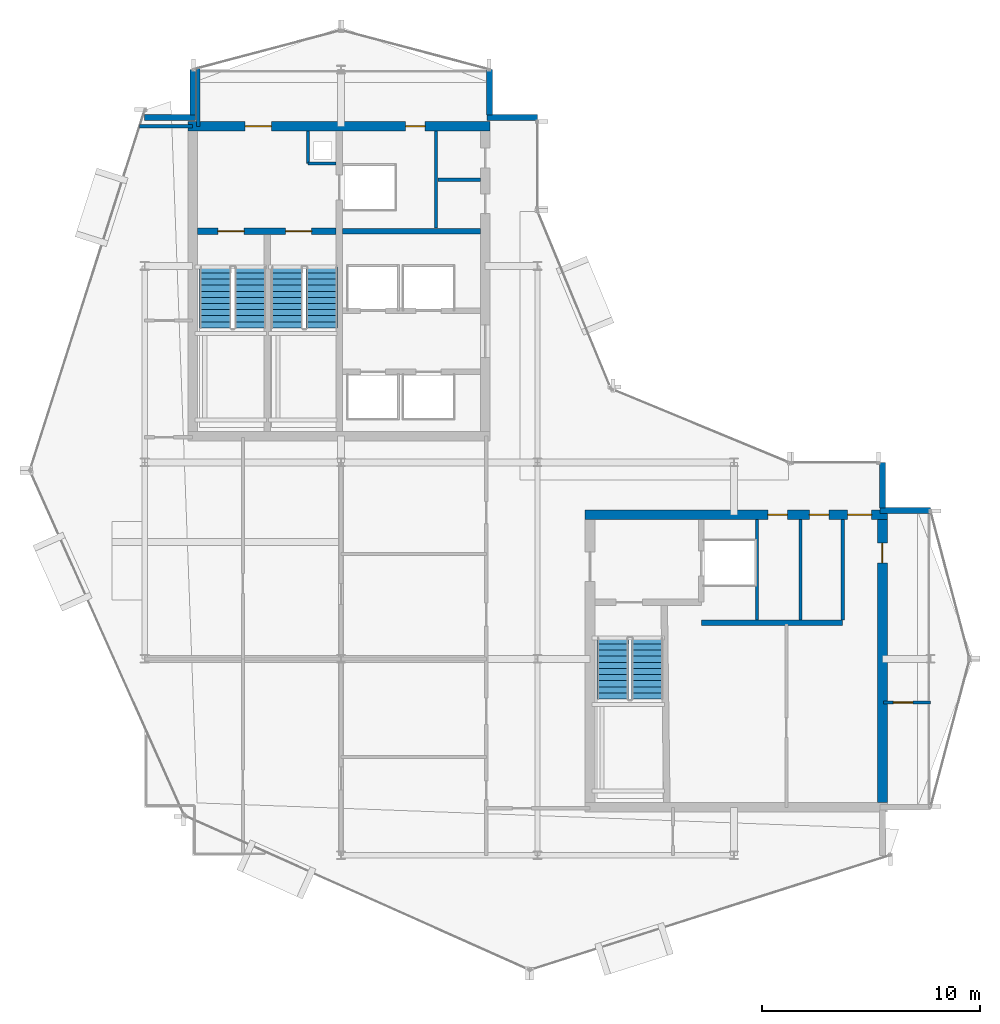
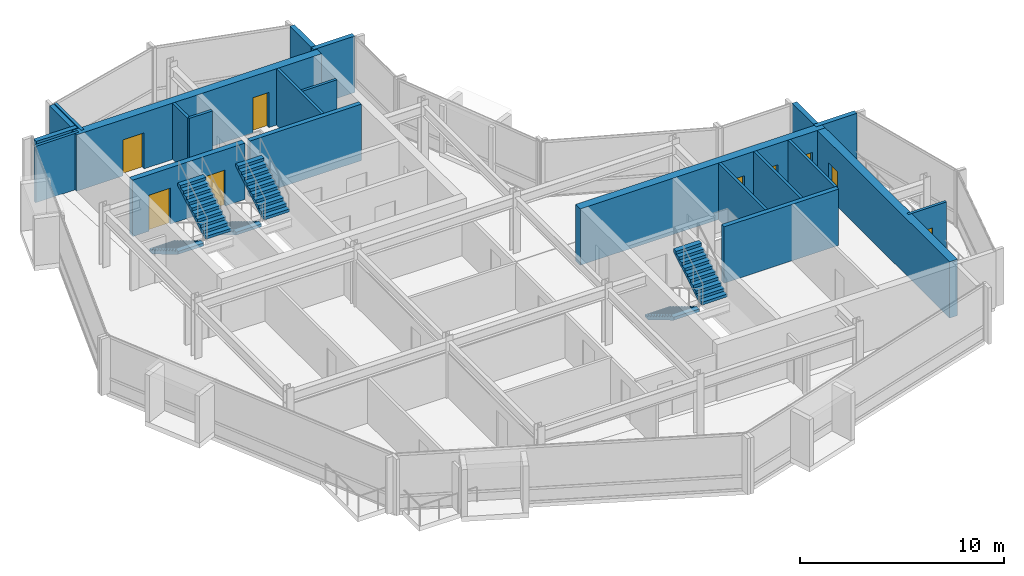
# One storey, part 15 of 19: 22 walls, 9 doors, 6 stair flights, 9 openings, 3 elements without a shape of their own.
"""IFC4 building model written with IfcOpenShell, lengths in metres."""

from ifc_helpers import new_model, si_unit, direction, frame, frame_2d, origin, place, context, subcontext, project, spatial, polyline, rectangle, outline, extrude, material, layer, layer_set, type_object, element, fill, aggregate, save


model = new_model("IFC4")

# Units and contexts
model_context = context("Model", 3, precision=1e-05, world=origin(), true_north=direction((0.0, 1.0)))
body_context = subcontext(model_context, "Body", "Model", "MODEL_VIEW")
ifc_project = project(units=[si_unit("LENGTHUNIT", "METRE"), si_unit("AREAUNIT", "SQUARE_METRE"), si_unit("VOLUMEUNIT", "CUBIC_METRE"), si_unit("PLANEANGLEUNIT", "RADIAN"), si_unit("MASSUNIT", "GRAM", prefix="KILO")], contexts=[model_context])

# Site, building, storey
site_placement = place(None, origin())
site = spatial("IfcSite", under=ifc_project, at=site_placement, CompositionType="ELEMENT")
building_placement = place(site_placement, origin())
building = spatial("IfcBuilding", under=site, at=building_placement, Name="Solvaryn Broadcast Tower", CompositionType="ELEMENT")
storey_placement = place(building_placement, frame((0.0, 0.0, 281.5)))
storey = spatial("IfcBuildingStorey", under=building, at=storey_placement, Name="L71", CompositionType="ELEMENT", Elevation=281.5)

# Wall, openings, doors
ifc_material_1 = material(Name="Concrete f'c 70 MPa", Category="concrete")
ifc_layer_1 = layer(ifc_material_1, 0.449951171875)
ifc_layer_set_1 = layer_set([ifc_layer_1], Name="CW-SHEAR-450")
wall_type_1 = type_object("IfcWallType", Name="CW-SHEAR-450", PredefinedType="SHEAR", material=ifc_layer_set_1)
wall_1_placement = place(storey_placement, frame((24.824951171875, 42.39990234375, 0.0), z_axis=(0.0, 0.0, 1.0), x_axis=(-1.0, 0.0, 0.0)))
wall_1 = element("IfcWall", 1, at=wall_1_placement, inside=storey, type_object=wall_type_1, Name="L71 West Core North Shear Wall", PredefinedType="SHEAR", context=body_context, shape_type="SweptSolid", body=[
    extrude(rectangle(XDim=13.849853515625, YDim=0.449951171875, at=frame_2d((6.9248046875, 0.0))), origin(), (0.0, 0.0, 1.0), 3.3701171875),
])
opening_1_placement = place(wall_1_placement, frame((10.02490234375, 0.0, 0.0)))
opening_1 = element("IfcOpeningElement", 2, at=opening_1_placement, cuts=wall_1, Name="Opening FD90A", PredefinedType="OPENING", context=body_context, shape_type="SweptSolid", body=[
    extrude(rectangle(XDim=1.199951171875, YDim=2.14990234375, at=frame_2d((0.60009765625, 1.074951171875))), frame((0.0, 0.235107421875, 0.0), z_axis=(0.0, -1.0, 0.0), x_axis=(1.0, 0.0, 0.0)), (0.0, 0.0, 1.0), 0.469970703125),
])
opening_2_placement = place(wall_1_placement, frame((2.97509765625, 0.0, 0.0)))
opening_2 = element("IfcOpeningElement", 3, at=opening_2_placement, cuts=wall_1, Name="Opening FD60C", PredefinedType="OPENING", context=body_context, shape_type="SweptSolid", body=[
    extrude(rectangle(XDim=0.89990234375, YDim=2.10009765625, at=frame_2d((0.449951171875, 1.050048828125))), frame((0.0, 0.235107421875, 0.0), z_axis=(0.0, -1.0, 0.0), x_axis=(1.0, 0.0, 0.0)), (0.0, 0.0, 1.0), 0.469970703125),
])
ifc_material_2 = material(Name="Flush Acoustic Steel and Timber Door Assembly", Category="steel")
door_type_1 = type_object("IfcDoorType", Name="FD60-SERV-900X2100", OperationType="NOTDEFINED", PredefinedType="DOOR", material=ifc_material_2)
door_1_placement = place(opening_2_placement, origin())
door_1 = element("IfcDoor", 4, at=door_1_placement, inside=storey, type_object=door_type_1, Name="L71 West Core Fiber Riser Door", OperationType="SINGLE_SWING_RIGHT", OverallHeight=2.10009765625, OverallWidth=0.89990234375, PredefinedType="DOOR", context=body_context, shape_type="SweptSolid", body=[
    extrude(rectangle(XDim=0.89990234375, YDim=2.10009765625, at=frame_2d((0.449951171875, 1.050048828125))), frame((0.0, 0.02490234375, 0.0), z_axis=(0.0, -1.0, 0.0), x_axis=(1.0, 0.0, 0.0)), (0.0, 0.0, 1.0), 0.050048828125),
])
fill(opening_2, door_1)
ifc_material_3 = material(Name="Flush Acoustic Steel and Timber Door Assembly", Category="steel")
door_type_2 = type_object("IfcDoorType", Name="FD90-STAIR-1200X2150", OperationType="NOTDEFINED", PredefinedType="DOOR", material=ifc_material_3)
door_2_placement = place(opening_1_placement, origin())
door_2 = element("IfcDoor", 5, at=door_2_placement, inside=storey, type_object=door_type_2, Name="L71 West FSAE Lobby Corridor Door", OperationType="SINGLE_SWING_LEFT", OverallHeight=2.14990234375, OverallWidth=1.199951171875, PredefinedType="DOOR", context=body_context, shape_type="SweptSolid", body=[
    extrude(rectangle(XDim=1.199951171875, YDim=2.14990234375, at=frame_2d((0.60009765625, 1.074951171875))), frame((0.0, 0.02490234375, 0.0), z_axis=(0.0, -1.0, 0.0), x_axis=(1.0, 0.0, 0.0)), (0.0, 0.0, 1.0), 0.050048828125),
])
fill(opening_1, door_2)

wall_2_placement = place(storey_placement, frame((43.02490234375, 24.60009765625, 0.0), z_axis=(0.0, 0.0, 1.0), x_axis=(-1.0, 0.0, 0.0)))
wall_2 = element("IfcWall", 6, at=wall_2_placement, inside=storey, type_object=wall_type_1, Name="L71 East Core North Shear Wall", PredefinedType="SHEAR", context=body_context, shape_type="SweptSolid", body=[
    extrude(rectangle(XDim=13.849853515625, YDim=0.449951171875, at=frame_2d((6.9248046875, 0.0))), origin(), (0.0, 0.0, 1.0), 3.3701171875),
])
opening_3_placement = place(wall_2_placement, frame((0.72509765625, 0.0, 0.0)))
opening_3 = element("IfcOpeningElement", 7, at=opening_3_placement, cuts=wall_2, Name="Opening FD90C", PredefinedType="OPENING", context=body_context, shape_type="SweptSolid", body=[
    extrude(rectangle(XDim=1.10009765625, YDim=2.14990234375, at=frame_2d((0.550048828125, 1.074951171875))), frame((0.0, 0.235107421875, 0.0), z_axis=(0.0, -1.0, 0.0), x_axis=(1.0, 0.0, 0.0)), (0.0, 0.0, 1.0), 0.469970703125),
])
opening_4_placement = place(wall_2_placement, frame((2.675048828125, 0.0, 0.0)))
opening_4 = element("IfcOpeningElement", 8, at=opening_4_placement, cuts=wall_2, Name="Opening FD60C", PredefinedType="OPENING", context=body_context, shape_type="SweptSolid", body=[
    extrude(rectangle(XDim=0.89990234375, YDim=2.10009765625, at=frame_2d((0.449951171875, 1.050048828125))), frame((0.0, 0.235107421875, 0.0), z_axis=(0.0, -1.0, 0.0), x_axis=(1.0, 0.0, 0.0)), (0.0, 0.0, 1.0), 0.469970703125),
])
opening_5_placement = place(wall_2_placement, frame((4.574951171875, 0.0, 0.0)))
opening_5 = element("IfcOpeningElement", 9, at=opening_5_placement, cuts=wall_2, Name="Opening FD60C", PredefinedType="OPENING", context=body_context, shape_type="SweptSolid", body=[
    extrude(rectangle(XDim=0.89990234375, YDim=2.10009765625, at=frame_2d((0.449951171875, 1.050048828125))), frame((0.0, 0.235107421875, 0.0), z_axis=(0.0, -1.0, 0.0), x_axis=(1.0, 0.0, 0.0)), (0.0, 0.0, 1.0), 0.469970703125),
])
door_3_placement = place(opening_4_placement, origin())
door_3 = element("IfcDoor", 10, at=door_3_placement, inside=storey, type_object=door_type_1, Name="L71 Staff Restroom Door", OperationType="SINGLE_SWING_LEFT", OverallHeight=2.10009765625, OverallWidth=0.89990234375, PredefinedType="DOOR", context=body_context, shape_type="SweptSolid", body=[
    extrude(rectangle(XDim=0.89990234375, YDim=2.10009765625, at=frame_2d((0.449951171875, 1.050048828125))), frame((0.0, 0.02490234375, 0.0), z_axis=(0.0, -1.0, 0.0), x_axis=(1.0, 0.0, 0.0)), (0.0, 0.0, 1.0), 0.050048828125),
])
fill(opening_4, door_3)
door_4_placement = place(opening_5_placement, origin())
door_4 = element("IfcDoor", 11, at=door_4_placement, inside=storey, type_object=door_type_1, Name="L71 Accessible WC Door", OperationType="SINGLE_SWING_RIGHT", OverallHeight=2.10009765625, OverallWidth=0.89990234375, PredefinedType="DOOR", context=body_context, shape_type="SweptSolid", body=[
    extrude(rectangle(XDim=0.89990234375, YDim=2.10009765625, at=frame_2d((0.449951171875, 1.050048828125))), frame((0.0, 0.02490234375, 0.0), z_axis=(0.0, -1.0, 0.0), x_axis=(1.0, 0.0, 0.0)), (0.0, 0.0, 1.0), 0.050048828125),
])
fill(opening_5, door_4)
ifc_material_4 = material(Name="Flush Acoustic Steel and Timber Door Assembly", Category="steel")
door_type_3 = type_object("IfcDoorType", Name="FD90-PLANT-1100X2150", OperationType="NOTDEFINED", PredefinedType="DOOR", material=ifc_material_4)
door_5_placement = place(opening_3_placement, origin())
door_5 = element("IfcDoor", 12, at=door_5_placement, inside=storey, type_object=door_type_3, Name="L71 East Core Lobby Corridor Door", OperationType="SINGLE_SWING_LEFT", OverallHeight=2.14990234375, OverallWidth=1.10009765625, PredefinedType="DOOR", context=body_context, shape_type="SweptSolid", body=[
    extrude(rectangle(XDim=1.10009765625, YDim=2.14990234375, at=frame_2d((0.550048828125, 1.074951171875))), frame((0.0, 0.02490234375, 0.0), z_axis=(0.0, -1.0, 0.0), x_axis=(1.0, 0.0, 0.0)), (0.0, 0.0, 1.0), 0.050048828125),
])
fill(opening_3, door_5)

# Wall, opening, door
wall_3_placement = place(storey_placement, frame((42.800048828125, 11.425048828125, 0.0), z_axis=(0.0, 0.0, 1.0), x_axis=(0.0, 1.0, 0.0)))
wall_3 = element("IfcWall", 13, at=wall_3_placement, inside=storey, type_object=wall_type_1, Name="L71 East Core East Shear Wall", PredefinedType="SHEAR", context=body_context, shape_type="SweptSolid", body=[
    extrude(rectangle(XDim=12.949951171875, YDim=0.449951171875, at=frame_2d((6.47509765625, 0.0))), origin(), (0.0, 0.0, 1.0), 3.3701171875),
])
opening_6_placement = place(wall_3_placement, frame((10.97509765625, 0.0, 0.0)))
opening_6 = element("IfcOpeningElement", 14, at=opening_6_placement, cuts=wall_3, Name="Opening FD60C", PredefinedType="OPENING", context=body_context, shape_type="SweptSolid", body=[
    extrude(rectangle(XDim=0.89990234375, YDim=2.10009765625, at=frame_2d((0.449951171875, 1.050048828125))), frame((0.0, 0.235107421875, 0.0), z_axis=(0.0, -1.0, 0.0), x_axis=(1.0, 0.0, 0.0)), (0.0, 0.0, 1.0), 0.469970703125),
])
door_6_placement = place(opening_6_placement, origin())
door_6 = element("IfcDoor", 15, at=door_6_placement, inside=storey, type_object=door_type_1, Name="L71 Upper East Studio Door", OperationType="SINGLE_SWING_RIGHT", OverallHeight=2.10009765625, OverallWidth=0.89990234375, PredefinedType="DOOR", context=body_context, shape_type="SweptSolid", body=[
    extrude(rectangle(XDim=0.89990234375, YDim=2.10009765625, at=frame_2d((0.449951171875, 1.050048828125))), frame((0.0, 0.02490234375, 0.0), z_axis=(0.0, -1.0, 0.0), x_axis=(1.0, 0.0, 0.0)), (0.0, 0.0, 1.0), 0.050048828125),
])
fill(opening_6, door_6)

# Walls
ifc_material_5 = material(Name="Concrete f'c 50 MPa", Category="concrete")
ifc_layer_2 = layer(ifc_material_5, 0.260009765625)
ifc_layer_set_2 = layer_set([ifc_layer_2], Name="EW-PIER-260")
wall_type_2 = type_object("IfcWallType", Name="EW-PIER-260", PredefinedType="SOLIDWALL", material=ifc_layer_set_2)
wall_4_placement = place(storey_placement, frame((9.0, 42.800048828125, 0.0), z_axis=(0.0, 0.0, 1.0), x_axis=(1.0, 0.0, 0.0)))
element("IfcWall", 16, at=wall_4_placement, inside=storey, type_object=wall_type_2, Name="L71 Notched Corner Pier Wall NNW1", PredefinedType="SOLIDWALL", context=body_context, shape_type="SweptSolid", body=[
    extrude(rectangle(XDim=2.320068359375, YDim=0.260009765625, at=frame_2d((1.16015625, 0.0))), origin(), (0.0, 0.0, 1.0), 3.3701171875),
])
for number, where, z_axis, x_axis, name in (
    (17, (11.199951171875, 42.919921875, 0.0), (0.0, 0.0, 1.0), (0.0, 1.0, 0.0), "L71 Notched Corner Pier Wall NNW2"),
    (18, (24.800048828125, 45.0, 0.0), (0.0, 0.0, 1.0), (0.0, -1.0, 0.0), "L71 Notched Corner Pier Wall NNE1"),
):
    element("IfcWall", number, at=place(storey_placement, frame(where, z_axis=z_axis, x_axis=x_axis)), inside=storey, type_object=wall_type_2, Name=name, PredefinedType="SOLIDWALL", context=body_context, shape_type="SweptSolid", body=[
        extrude(rectangle(XDim=2.080078125, YDim=0.260009765625, at=frame_2d((1.0400390625, 0.0))), origin(), (0.0, 0.0, 1.0), 3.3701171875),
    ])
for number, where, z_axis, x_axis, name in (
    (19, (24.679931640625, 42.800048828125, 0.0), (0.0, 0.0, 1.0), (1.0, 0.0, 0.0), "L71 Notched Corner Pier Wall NNE2"),
    (20, (45.0, 24.800048828125, 0.0), (0.0, 0.0, 1.0), (-1.0, 0.0, 0.0), "L71 Notched Corner Pier Wall NEE1"),
):
    element("IfcWall", number, at=place(storey_placement, frame(where, z_axis=z_axis, x_axis=x_axis)), inside=storey, type_object=wall_type_2, Name=name, PredefinedType="SOLIDWALL", context=body_context, shape_type="SweptSolid", body=[
        extrude(rectangle(XDim=2.320068359375, YDim=0.260009765625, at=frame_2d((1.16015625, 0.0))), origin(), (0.0, 0.0, 1.0), 3.3701171875),
    ])
wall_5_placement = place(storey_placement, frame((42.800048828125, 24.919921875, 0.0), z_axis=(0.0, 0.0, 1.0), x_axis=(0.0, 1.0, 0.0)))
element("IfcWall", 21, at=wall_5_placement, inside=storey, type_object=wall_type_2, Name="L71 Notched Corner Pier Wall NEE2", PredefinedType="SOLIDWALL", context=body_context, shape_type="SweptSolid", body=[
    extrude(rectangle(XDim=2.080078125, YDim=0.260009765625, at=frame_2d((1.0400390625, 0.0))), origin(), (0.0, 0.0, 1.0), 3.3701171875),
])
ifc_material_6 = material(Name="Metal-Stud Service Core Partition")
ifc_layer_3 = layer(ifc_material_6, 0.14990234375)
ifc_layer_set_3 = layer_set([ifc_layer_3], Name="IW-PART-150")
wall_type_3 = type_object("IfcWallType", Name="IW-PART-150", PredefinedType="PARTITIONING", material=ifc_layer_set_3)
wall_6_placement = place(storey_placement, frame((16.47998046875, 40.699951171875, 0.0), z_axis=(0.0, 0.0, 1.0), x_axis=(1.0, 0.0, 0.0)))
element("IfcWall", 22, at=wall_6_placement, inside=storey, type_object=wall_type_3, Name="L71 West Core Riser Shaft South Wall", PredefinedType="PARTITIONING", context=body_context, shape_type="SweptSolid", body=[
    extrude(rectangle(XDim=1.2900390625, YDim=0.14990234375, at=frame_2d((0.64501953125, 0.0))), origin(), (0.0, 0.0, 1.0), 3.3701171875),
])
wall_7_placement = place(storey_placement, frame((16.47998046875, 40.699951171875, 0.0), z_axis=(0.0, 0.0, 1.0), x_axis=(0.0, 1.0, 0.0)))
element("IfcWall", 23, at=wall_7_placement, inside=storey, type_object=wall_type_3, Name="L71 West Core Riser Shaft West Wall", PredefinedType="PARTITIONING", context=body_context, shape_type="SweptSolid", body=[
    extrude(rectangle(XDim=1.47509765625, YDim=0.14990234375, at=frame_2d((0.737548828125, 0.0))), origin(), (0.0, 0.0, 1.0), 3.3701171875),
])
wall_8_placement = place(storey_placement, frame((22.35009765625, 37.72998046875, 0.0), z_axis=(0.0, 0.0, 1.0), x_axis=(0.0, 1.0, 0.0)))
element("IfcWall", 24, at=wall_8_placement, inside=storey, type_object=wall_type_3, Name="L71 Interior Partition IW-L71-CWS-V", PredefinedType="PARTITIONING", context=body_context, shape_type="SweptSolid", body=[
    extrude(rectangle(XDim=4.445068359375, YDim=0.14990234375, at=frame_2d((2.22265625, 0.0))), origin(), (0.0, 0.0, 1.0), 3.3701171875),
])
wall_9_placement = place(storey_placement, frame((22.429931640625, 39.949951171875, 0.0), z_axis=(0.0, 0.0, 1.0), x_axis=(1.0, 0.0, 0.0)))
element("IfcWall", 25, at=wall_9_placement, inside=storey, type_object=wall_type_3, Name="L71 Interior Partition IW-L71-CWS-H", PredefinedType="PARTITIONING", context=body_context, shape_type="SweptSolid", body=[
    extrude(rectangle(XDim=1.945068359375, YDim=0.14990234375, at=frame_2d((0.97265625, 0.0))), origin(), (0.0, 0.0, 1.0), 3.3701171875),
])
for number, where, z_axis, x_axis, name in (
    (26, (37.050048828125, 19.780029296875, 0.0), (0.0, 0.0, 1.0), (0.0, 1.0, 0.0), "L71 Interior Partition IW-L71-CE-FL2E"),
    (27, (39.050048828125, 19.780029296875, 0.0), (0.0, 0.0, 1.0), (0.0, 1.0, 0.0), "L71 Interior Partition IW-L71-CE-V1"),
    (28, (40.97998046875, 19.780029296875, 0.0), (0.0, 0.0, 1.0), (0.0, 1.0, 0.0), "L71 Interior Partition IW-L71-CE-V3"),
):
    element("IfcWall", number, at=place(storey_placement, frame(where, z_axis=z_axis, x_axis=x_axis)), inside=storey, type_object=wall_type_3, Name=name, PredefinedType="PARTITIONING", context=body_context, shape_type="SweptSolid", body=[
        extrude(rectangle(XDim=4.594970703125, YDim=0.14990234375, at=frame_2d((2.29736328125, 0.0))), origin(), (0.0, 0.0, 1.0), 3.3701171875),
    ])

# Wall, opening, door
wall_10_placement = place(storey_placement, frame((42.85009765625, 16.0, 0.0), z_axis=(0.0, 0.0, 1.0), x_axis=(1.0, 0.0, 0.0)))
wall_10 = element("IfcWall", 29, at=wall_10_placement, inside=storey, type_object=wall_type_3, Name="L71 Interior Partition IW-L71-E4M", PredefinedType="PARTITIONING", context=body_context, shape_type="SweptSolid", body=[
    extrude(rectangle(XDim=2.14990234375, YDim=0.14990234375, at=frame_2d((1.074951171875, 0.0))), origin(), (0.0, 0.0, 1.0), 3.3701171875),
])
opening_7_placement = place(wall_10_placement, frame((0.449951171875, 0.0, 0.0)))
opening_7 = element("IfcOpeningElement", 30, at=opening_7_placement, cuts=wall_10, Name="Opening FD60C", PredefinedType="OPENING", context=body_context, shape_type="SweptSolid", body=[
    extrude(rectangle(XDim=0.89990234375, YDim=2.10009765625, at=frame_2d((0.449951171875, 1.050048828125))), frame((0.0, 0.0849609375, 0.0), z_axis=(0.0, -1.0, 0.0), x_axis=(1.0, 0.0, 0.0)), (0.0, 0.0, 1.0), 0.169921875),
])
door_7_placement = place(opening_7_placement, origin())
door_7 = element("IfcDoor", 31, at=door_7_placement, inside=storey, type_object=door_type_1, Name="L71 Door DR-L71-E4M", OperationType="SINGLE_SWING_RIGHT", OverallHeight=2.10009765625, OverallWidth=0.89990234375, PredefinedType="DOOR", context=body_context, shape_type="SweptSolid", body=[
    extrude(rectangle(XDim=0.89990234375, YDim=2.10009765625, at=frame_2d((0.449951171875, 1.050048828125))), frame((0.0, 0.02490234375, 0.0), z_axis=(0.0, -1.0, 0.0), x_axis=(1.0, 0.0, 0.0)), (0.0, 0.0, 1.0), 0.050048828125),
])
fill(opening_7, door_7)

# Walls
ifc_material_7 = material(Name="Metal-Stud Gypsum Office Partition")
ifc_layer_4 = layer(ifc_material_7, 0.159912109375)
ifc_layer_set_4 = layer_set([ifc_layer_4], Name="IW-PART-160")
wall_type_4 = type_object("IfcWallType", Name="IW-PART-160", PredefinedType="PARTITIONING", material=ifc_layer_set_4)
wall_11_placement = place(storey_placement, frame((8.760986328125, 42.39990234375, 0.0), z_axis=(0.0, 0.0, 1.0), x_axis=(1.0, 0.0, 0.0)))
element("IfcWall", 32, at=wall_11_placement, inside=storey, type_object=wall_type_4, Name="L71 Interior Partition IW-L71-WM-N", PredefinedType="PARTITIONING", context=body_context, shape_type="SweptSolid", body=[
    extrude(rectangle(XDim=2.43896484375, YDim=0.159912109375, at=frame_2d((1.219482421875, 0.0))), origin(), (0.0, 0.0, 1.0), 3.3701171875),
])
wall_12_placement = place(storey_placement, frame((11.449951171875, 42.39990234375, 0.0), z_axis=(0.0, 0.0, 1.0), x_axis=(0.0, 1.0, 0.0)))
element("IfcWall", 33, at=wall_12_placement, inside=storey, type_object=wall_type_4, Name="L71 Interior Partition IW-L71-WM-E", PredefinedType="PARTITIONING", context=body_context, shape_type="SweptSolid", body=[
    extrude(rectangle(XDim=2.666015625, YDim=0.159912109375, at=frame_2d((1.3330078125, 0.0))), origin(), (0.0, 0.0, 1.0), 3.3701171875),
])
ifc_material_8 = material(Name="Concrete f'c 60 MPa", Category="concrete")
ifc_layer_5 = layer(ifc_material_8, 0.25)
ifc_layer_set_5 = layer_set([ifc_layer_5], Name="SW-SHAFT-250")
wall_type_5 = type_object("IfcWallType", Name="SW-SHAFT-250", PredefinedType="PARTITIONING", material=ifc_layer_set_5)
wall_13_placement = place(storey_placement, frame((18.070068359375, 37.60009765625, 0.0), z_axis=(0.0, 0.0, 1.0), x_axis=(1.0, 0.0, 0.0)))
element("IfcWall", 34, at=wall_13_placement, inside=storey, type_object=wall_type_5, Name="L71 West Core FSAE Hoistway Front Wall", PredefinedType="PARTITIONING", context=body_context, shape_type="SweptSolid", body=[
    extrude(rectangle(XDim=6.304931640625, YDim=0.25, at=frame_2d((3.15234375, 0.0))), origin(), (0.0, 0.0, 1.0), 3.3701171875),
])
wall_14_placement = place(storey_placement, frame((34.5, 19.64990234375, 0.0), z_axis=(0.0, 0.0, 1.0), x_axis=(1.0, 0.0, 0.0)))
element("IfcWall", 35, at=wall_14_placement, inside=storey, type_object=wall_type_5, Name="L71 East Core Restroom South Wall", PredefinedType="PARTITIONING", context=body_context, shape_type="SweptSolid", body=[
    extrude(rectangle(XDim=6.47998046875, YDim=0.25, at=frame_2d((3.239990234375, 0.0))), origin(), (0.0, 0.0, 1.0), 3.3701171875),
])

# Wall, openings, doors
ifc_material_9 = material(Name="Concrete f'c 70 MPa", Category="concrete")
ifc_layer_6 = layer(ifc_material_9, 0.300048828125)
ifc_layer_set_6 = layer_set([ifc_layer_6], Name="SW-SHAFT-300")
wall_type_6 = type_object("IfcWallType", Name="SW-SHAFT-300", PredefinedType="SHEAR", material=ifc_layer_set_6)
wall_15_placement = place(storey_placement, frame((17.77001953125, 37.60009765625, 0.0), z_axis=(0.0, 0.0, 1.0), x_axis=(-1.0, 0.0, 0.0)))
wall_15 = element("IfcWall", 36, at=wall_15_placement, inside=storey, type_object=wall_type_6, Name="L71 West Core FSAE Lobby South Wall", PredefinedType="SHEAR", context=body_context, shape_type="SweptSolid", body=[
    extrude(rectangle(XDim=6.344970703125, YDim=0.300048828125, at=frame_2d((3.17236328125, 0.0))), origin(), (0.0, 0.0, 1.0), 3.3701171875),
])
opening_8_placement = place(wall_15_placement, frame((4.219970703125, 0.0, 0.0)))
opening_8 = element("IfcOpeningElement", 37, at=opening_8_placement, cuts=wall_15, Name="Opening FD90A", PredefinedType="OPENING", context=body_context, shape_type="SweptSolid", body=[
    extrude(rectangle(XDim=1.199951171875, YDim=2.14990234375, at=frame_2d((0.60009765625, 1.074951171875))), frame((0.0, 0.159912109375, 0.0), z_axis=(0.0, -1.0, 0.0), x_axis=(1.0, 0.0, 0.0)), (0.0, 0.0, 1.0), 0.320068359375),
])
opening_9_placement = place(wall_15_placement, frame((1.1201171875, 0.0, 0.0)))
opening_9 = element("IfcOpeningElement", 38, at=opening_9_placement, cuts=wall_15, Name="Opening FD90A", PredefinedType="OPENING", context=body_context, shape_type="SweptSolid", body=[
    extrude(rectangle(XDim=1.199951171875, YDim=2.14990234375, at=frame_2d((0.60009765625, 1.074951171875))), frame((0.0, 0.159912109375, 0.0), z_axis=(0.0, -1.0, 0.0), x_axis=(1.0, 0.0, 0.0)), (0.0, 0.0, 1.0), 0.320068359375),
])
door_8_placement = place(opening_8_placement, origin())
door_8 = element("IfcDoor", 39, at=door_8_placement, inside=storey, type_object=door_type_2, Name="L71 Stair 1 Fire Door", OperationType="SINGLE_SWING_LEFT", OverallHeight=2.14990234375, OverallWidth=1.199951171875, PredefinedType="DOOR", context=body_context, shape_type="SweptSolid", body=[
    extrude(rectangle(XDim=1.199951171875, YDim=2.14990234375, at=frame_2d((0.60009765625, 1.074951171875))), frame((0.0, 0.02490234375, 0.0), z_axis=(0.0, -1.0, 0.0), x_axis=(1.0, 0.0, 0.0)), (0.0, 0.0, 1.0), 0.050048828125),
])
fill(opening_8, door_8)
door_9_placement = place(opening_9_placement, origin())
door_9 = element("IfcDoor", 40, at=door_9_placement, inside=storey, type_object=door_type_2, Name="L71 Stair 2 Fire Door", OperationType="SINGLE_SWING_RIGHT", OverallHeight=2.14990234375, OverallWidth=1.199951171875, PredefinedType="DOOR", context=body_context, shape_type="SweptSolid", body=[
    extrude(rectangle(XDim=1.199951171875, YDim=2.14990234375, at=frame_2d((0.60009765625, 1.074951171875))), frame((0.0, 0.02490234375, 0.0), z_axis=(0.0, -1.0, 0.0), x_axis=(1.0, 0.0, 0.0)), (0.0, 0.0, 1.0), 0.050048828125),
])
fill(opening_9, door_9)

# Stair, stair flights
ifc_material_10 = material(Name="Concrete f'c 60 MPa", Category="concrete")
stair_type = type_object("IfcStairType", Name="ST-CORE", PredefinedType="HALF_TURN_STAIR", material=ifc_material_10)
stair_1_placement = place(storey_placement, origin())
stair_1 = element("IfcStair", 41, at=stair_1_placement, inside=storey, type_object=stair_type, Name="L71 ST1", PredefinedType="HALF_TURN_STAIR")
ifc_material_11 = material(Name="Concrete f'c 60 MPa", Category="concrete")
ifc_layer_7 = layer(ifc_material_11, 0.159912109375)
ifc_layer_set_7 = layer_set([ifc_layer_7], Name="SF-CORE")
stair_flight_type = type_object("IfcStairFlightType", Name="SF-CORE", PredefinedType="STRAIGHT", material=ifc_layer_set_7)
stair_flight_1_placement = place(storey_placement, frame((12.239990234375, 35.9599609375, 0.0), z_axis=(0.0, 0.0, 1.0), x_axis=(0.0, -1.0, 0.0)))
stair_flight_1 = element("IfcStairFlight", 42, at=stair_flight_1_placement, type_object=stair_flight_type, Name="ST1 flight 1", NumberOfRisers=11, NumberOfTreads=10, PredefinedType="STRAIGHT", RiserHeight=0.168181818, TreadLength=0.28, context=body_context, shape_type="SweptSolid", body=[
    extrude(outline(polyline([(0.0, 0.0), (0.0, 0.168212890625), (0.280029296875, 0.168212890625), (0.280029296875, 0.33642578125), (0.56005859375, 0.33642578125), (0.56005859375, 0.504638671875), (0.840087890625, 0.504638671875), (0.840087890625, 0.672607421875), (1.1201171875, 0.672607421875), (1.1201171875, 0.8408203125), (1.39990234375, 0.8408203125), (1.39990234375, 1.009033203125), (1.679931640625, 1.009033203125), (1.679931640625, 1.17724609375), (1.9599609375, 1.17724609375), (1.9599609375, 1.345458984375), (2.239990234375, 1.345458984375), (2.239990234375, 1.513671875), (2.52001953125, 1.513671875), (2.52001953125, 1.681884765625), (2.800048828125, 1.681884765625), (2.800048828125, 1.85009765625), (2.800048828125, 1.5068359375), (0.291015625, 0.0), (0.0, 0.0)])), frame((0.0, 0.719970703125, 0.0), z_axis=(0.0, -1.0, 0.0), x_axis=(1.0, 0.0, 0.0)), (0.0, 0.0, 1.0), 1.43994140625),
])
stair_flight_2_placement = place(storey_placement, frame((13.830078125, 33.159912109375, 1.85009765625), z_axis=(0.0, 0.0, 1.0), x_axis=(0.0, 1.0, 0.0)))
stair_flight_2 = element("IfcStairFlight", 43, at=stair_flight_2_placement, type_object=stair_flight_type, Name="ST1 flight 2", NumberOfRisers=11, NumberOfTreads=10, PredefinedType="STRAIGHT", RiserHeight=0.168181818, TreadLength=0.28, context=body_context, shape_type="SweptSolid", body=[
    extrude(outline(polyline([(0.0, 0.0), (0.0, 0.168212890625), (0.280029296875, 0.168212890625), (0.280029296875, 0.33642578125), (0.56005859375, 0.33642578125), (0.56005859375, 0.504638671875), (0.840087890625, 0.504638671875), (0.840087890625, 0.672607421875), (1.1201171875, 0.672607421875), (1.1201171875, 0.8408203125), (1.39990234375, 0.8408203125), (1.39990234375, 1.009033203125), (1.679931640625, 1.009033203125), (1.679931640625, 1.17724609375), (1.9599609375, 1.17724609375), (1.9599609375, 1.345458984375), (2.239990234375, 1.345458984375), (2.239990234375, 1.513671875), (2.52001953125, 1.513671875), (2.52001953125, 1.681884765625), (2.800048828125, 1.681884765625), (2.800048828125, 1.85009765625), (2.800048828125, 1.5068359375), (0.291015625, 0.0), (0.0, 0.0)])), frame((0.0, 0.719970703125, 0.0), z_axis=(0.0, -1.0, 0.0), x_axis=(1.0, 0.0, 0.0)), (0.0, 0.0, 1.0), 1.43994140625),
])
aggregate(stair_1, [stair_flight_1, stair_flight_2])

stair_2_placement = place(storey_placement, origin())
stair_2 = element("IfcStair", 44, at=stair_2_placement, inside=storey, type_object=stair_type, Name="L71 ST2", PredefinedType="HALF_TURN_STAIR")
stair_flight_3_placement = place(storey_placement, frame((15.52001953125, 35.9599609375, 0.0), z_axis=(0.0, 0.0, 1.0), x_axis=(0.0, -1.0, 0.0)))
stair_flight_3 = element("IfcStairFlight", 45, at=stair_flight_3_placement, type_object=stair_flight_type, Name="ST2 flight 1", NumberOfRisers=11, NumberOfTreads=10, PredefinedType="STRAIGHT", RiserHeight=0.168181818, TreadLength=0.28, context=body_context, shape_type="SweptSolid", body=[
    extrude(outline(polyline([(0.0, 0.0), (0.0, 0.168212890625), (0.280029296875, 0.168212890625), (0.280029296875, 0.33642578125), (0.56005859375, 0.33642578125), (0.56005859375, 0.504638671875), (0.840087890625, 0.504638671875), (0.840087890625, 0.672607421875), (1.1201171875, 0.672607421875), (1.1201171875, 0.8408203125), (1.39990234375, 0.8408203125), (1.39990234375, 1.009033203125), (1.679931640625, 1.009033203125), (1.679931640625, 1.17724609375), (1.9599609375, 1.17724609375), (1.9599609375, 1.345458984375), (2.239990234375, 1.345458984375), (2.239990234375, 1.513671875), (2.52001953125, 1.513671875), (2.52001953125, 1.681884765625), (2.800048828125, 1.681884765625), (2.800048828125, 1.85009765625), (2.800048828125, 1.5068359375), (0.291015625, 0.0), (0.0, 0.0)])), frame((0.0, 0.719970703125, 0.0), z_axis=(0.0, -1.0, 0.0), x_axis=(1.0, 0.0, 0.0)), (0.0, 0.0, 1.0), 1.43994140625),
])
stair_flight_4_placement = place(storey_placement, frame((17.110107421875, 33.159912109375, 1.85009765625), z_axis=(0.0, 0.0, 1.0), x_axis=(0.0, 1.0, 0.0)))
stair_flight_4 = element("IfcStairFlight", 46, at=stair_flight_4_placement, type_object=stair_flight_type, Name="ST2 flight 2", NumberOfRisers=11, NumberOfTreads=10, PredefinedType="STRAIGHT", RiserHeight=0.168181818, TreadLength=0.28, context=body_context, shape_type="SweptSolid", body=[
    extrude(outline(polyline([(0.0, 0.0), (0.0, 0.168212890625), (0.280029296875, 0.168212890625), (0.280029296875, 0.33642578125), (0.56005859375, 0.33642578125), (0.56005859375, 0.504638671875), (0.840087890625, 0.504638671875), (0.840087890625, 0.672607421875), (1.1201171875, 0.672607421875), (1.1201171875, 0.8408203125), (1.39990234375, 0.8408203125), (1.39990234375, 1.009033203125), (1.679931640625, 1.009033203125), (1.679931640625, 1.17724609375), (1.9599609375, 1.17724609375), (1.9599609375, 1.345458984375), (2.239990234375, 1.345458984375), (2.239990234375, 1.513671875), (2.52001953125, 1.513671875), (2.52001953125, 1.681884765625), (2.800048828125, 1.681884765625), (2.800048828125, 1.85009765625), (2.800048828125, 1.5068359375), (0.291015625, 0.0), (0.0, 0.0)])), frame((0.0, 0.719970703125, 0.0), z_axis=(0.0, -1.0, 0.0), x_axis=(1.0, 0.0, 0.0)), (0.0, 0.0, 1.0), 1.43994140625),
])
aggregate(stair_2, [stair_flight_3, stair_flight_4])

stair_3_placement = place(storey_placement, origin())
stair_3 = element("IfcStair", 47, at=stair_3_placement, inside=storey, type_object=stair_type, Name="L71 ST3", PredefinedType="HALF_TURN_STAIR")
stair_flight_5_placement = place(storey_placement, frame((30.43994140625, 18.9599609375, 0.0), z_axis=(0.0, 0.0, 1.0), x_axis=(0.0, -1.0, 0.0)))
stair_flight_5 = element("IfcStairFlight", 48, at=stair_flight_5_placement, type_object=stair_flight_type, Name="ST3 flight 1", NumberOfRisers=11, NumberOfTreads=10, PredefinedType="STRAIGHT", RiserHeight=0.168181818, TreadLength=0.28, context=body_context, shape_type="SweptSolid", body=[
    extrude(outline(polyline([(0.0, 0.0), (0.0, 0.168212890625), (0.280029296875, 0.168212890625), (0.280029296875, 0.33642578125), (0.56005859375, 0.33642578125), (0.56005859375, 0.504638671875), (0.840087890625, 0.504638671875), (0.840087890625, 0.672607421875), (1.1201171875, 0.672607421875), (1.1201171875, 0.8408203125), (1.39990234375, 0.8408203125), (1.39990234375, 1.009033203125), (1.679931640625, 1.009033203125), (1.679931640625, 1.17724609375), (1.9599609375, 1.17724609375), (1.9599609375, 1.345458984375), (2.239990234375, 1.345458984375), (2.239990234375, 1.513671875), (2.52001953125, 1.513671875), (2.52001953125, 1.681884765625), (2.800048828125, 1.681884765625), (2.800048828125, 1.85009765625), (2.800048828125, 1.5068359375), (0.291015625, 0.0), (0.0, 0.0)])), frame((0.0, 0.719970703125, 0.0), z_axis=(0.0, -1.0, 0.0), x_axis=(1.0, 0.0, 0.0)), (0.0, 0.0, 1.0), 1.43994140625),
])
stair_flight_6_placement = place(storey_placement, frame((32.030029296875, 16.159912109375, 1.85009765625), z_axis=(0.0, 0.0, 1.0), x_axis=(0.0, 1.0, 0.0)))
stair_flight_6 = element("IfcStairFlight", 49, at=stair_flight_6_placement, type_object=stair_flight_type, Name="ST3 flight 2", NumberOfRisers=11, NumberOfTreads=10, PredefinedType="STRAIGHT", RiserHeight=0.168181818, TreadLength=0.28, context=body_context, shape_type="SweptSolid", body=[
    extrude(outline(polyline([(0.0, 0.0), (0.0, 0.168212890625), (0.280029296875, 0.168212890625), (0.280029296875, 0.33642578125), (0.56005859375, 0.33642578125), (0.56005859375, 0.504638671875), (0.840087890625, 0.504638671875), (0.840087890625, 0.672607421875), (1.1201171875, 0.672607421875), (1.1201171875, 0.8408203125), (1.39990234375, 0.8408203125), (1.39990234375, 1.009033203125), (1.679931640625, 1.009033203125), (1.679931640625, 1.17724609375), (1.9599609375, 1.17724609375), (1.9599609375, 1.345458984375), (2.239990234375, 1.345458984375), (2.239990234375, 1.513671875), (2.52001953125, 1.513671875), (2.52001953125, 1.681884765625), (2.800048828125, 1.681884765625), (2.800048828125, 1.85009765625), (2.800048828125, 1.5068359375), (0.291015625, 0.0), (0.0, 0.0)])), frame((0.0, 0.719970703125, 0.0), z_axis=(0.0, -1.0, 0.0), x_axis=(1.0, 0.0, 0.0)), (0.0, 0.0, 1.0), 1.43994140625),
])
aggregate(stair_3, [stair_flight_5, stair_flight_6])

save(model, "model.ifc")
